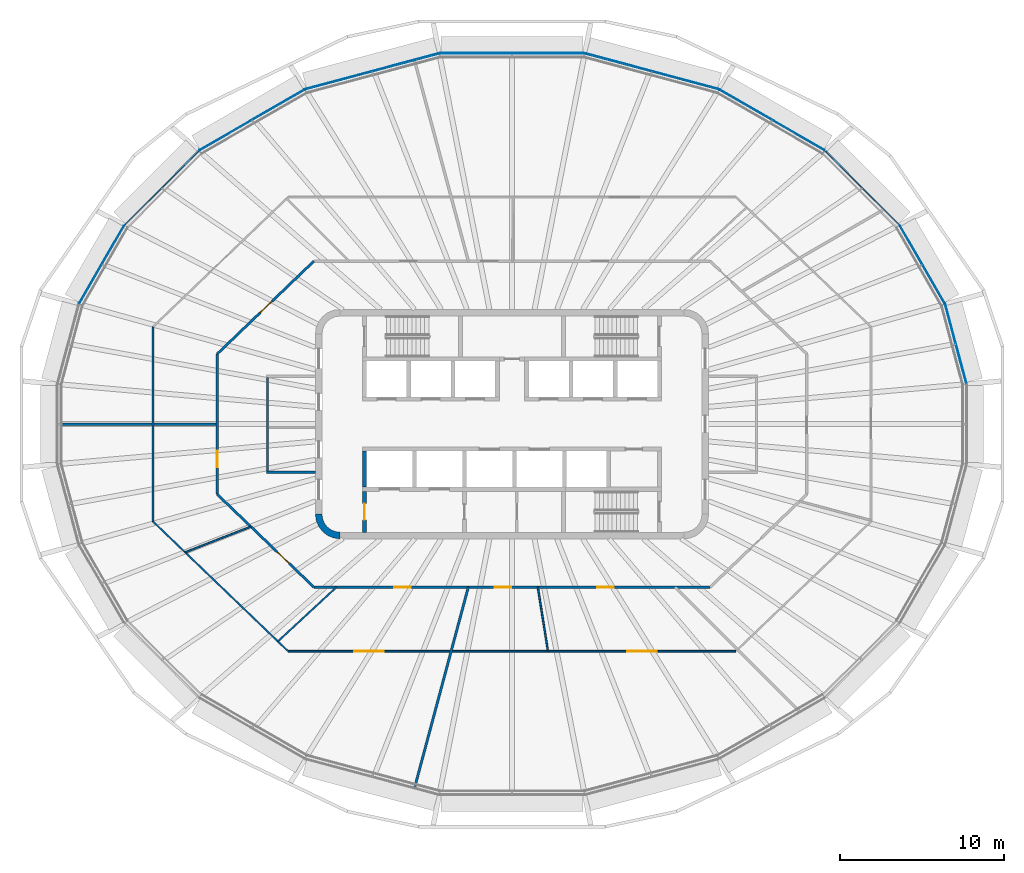
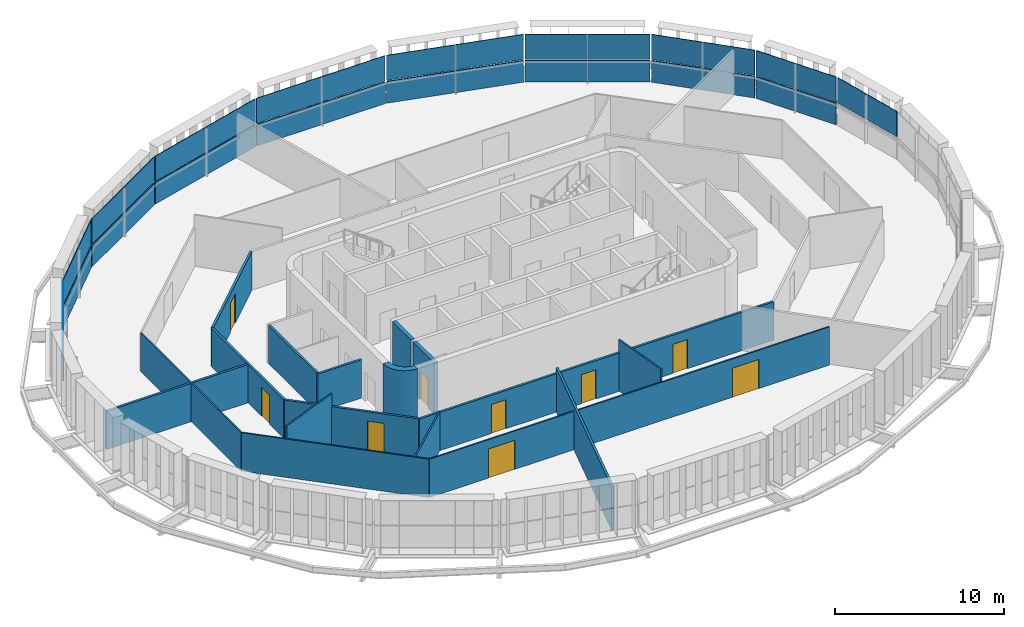
# One storey, part 9 of 18: 19 plates, 17 walls, 9 doors, 9 openings, 10 elements without a shape of their own.
"""IFC4 building model written with IfcOpenShell, lengths in metres."""

from ifc_helpers import new_model, si_unit, direction, frame, frame_2d, origin, place, context, subcontext, project, spatial, polyline, rectangle, outline, extrude, material, layer, layer_set, type_object, element, fill, aggregate, save


model = new_model("IFC4")

# Units and contexts
model_context = context("Model", 3, precision=1e-05, world=origin(), true_north=direction((0.0, 1.0)))
body_context = subcontext(model_context, "Body", "Model", "MODEL_VIEW")
ifc_project = project(units=[si_unit("LENGTHUNIT", "METRE"), si_unit("AREAUNIT", "SQUARE_METRE"), si_unit("VOLUMEUNIT", "CUBIC_METRE"), si_unit("PLANEANGLEUNIT", "RADIAN"), si_unit("MASSUNIT", "GRAM", prefix="KILO")], contexts=[model_context])

# Site, building, storey
site_placement = place(None, origin())
site = spatial("IfcSite", under=ifc_project, at=site_placement, CompositionType="ELEMENT")
building_placement = place(site_placement, origin())
building = spatial("IfcBuilding", under=site, at=building_placement, Name="Sahrelin Media Tower", CompositionType="ELEMENT")
storey_placement = place(building_placement, frame((0.0, 0.0, 295.0)))
storey = spatial("IfcBuildingStorey", under=building, at=storey_placement, Name="L65", CompositionType="ELEMENT", Elevation=295.0)

# Curtain wall, plate
ifc_material_1 = material(Name="Champagne anodised aluminium 6063-T6", Category="aluminium")
ifc_layer_1 = layer(ifc_material_1, 0.14990234375)
ifc_layer_set_1 = layer_set([ifc_layer_1], Name="Tower ribbon curtain wall")
curtain_wall_type = type_object("IfcCurtainWallType", Name="Tower ribbon curtain wall", PredefinedType="NOTDEFINED", material=ifc_layer_set_1)
curtain_wall_1_placement = place(storey_placement, frame((27.10205078125, 4.88671875, 0.0), z_axis=(0.0, 0.0, 1.0), x_axis=(1.0, 0.0, 0.0)))
curtain_wall_1 = element("IfcCurtainWall", 1, at=curtain_wall_1_placement, inside=storey, type_object=curtain_wall_type, Name="L65:CW:L65-01", PredefinedType="NOTDEFINED")
ifc_material_2 = material(Name="Clear low-iron glazing", Category="glass")
ifc_layer_2 = layer(ifc_material_2, 0.048095703125)
ifc_layer_set_2 = layer_set([ifc_layer_2], Name="Glazing panel 48 mm CW1C")
plate_type_1 = type_object("IfcPlateType", Name="Glazing panel 48 mm CW1C", PredefinedType="CURTAIN_PANEL", material=ifc_layer_set_2)
plate_1_placement = place(storey_placement, frame((27.762939453125, 2.497802734375, 1.6298828125), z_axis=(0.965932664655, 0.258793522625, 0.0), x_axis=(-0.258793522625, 0.965932664655, 0.0)))
plate_1 = element("IfcPlate", 2, at=plate_1_placement, type_object=plate_type_1, Name="L65:CWP2:L65-01", PredefinedType="CURTAIN_PANEL", context=body_context, shape_type="SweptSolid", body=[
    extrude(outline(polyline([(0.0, 0.0), (4.95751953125, 0.0), (4.95751953125, 1.818603515625), (0.0, 1.818603515625), (0.0, 0.0)])), origin(), (0.0, 0.0, -1.0), 0.048095703125),
])
aggregate(curtain_wall_1, [plate_1])

curtain_wall_2_placement = place(storey_placement, frame((25.0546875, 9.74169921875, 0.0), z_axis=(0.0, 0.0, 1.0), x_axis=(1.0, 0.0, 0.0)))
curtain_wall_2 = element("IfcCurtainWall", 3, at=curtain_wall_2_placement, inside=storey, type_object=curtain_wall_type, Name="L65:CW:L65-02", PredefinedType="NOTDEFINED")
plate_2_placement = place(storey_placement, frame((26.43994140625, 7.3828125, 1.6298828125), z_axis=(0.866007226043, 0.500031483449, 0.0), x_axis=(-0.500031483449, 0.866007226043, 0.0)))
plate_2 = element("IfcPlate", 4, at=plate_2_placement, type_object=plate_type_1, Name="L65:CWP2:L65-02", PredefinedType="CURTAIN_PANEL", context=body_context, shape_type="SweptSolid", body=[
    extrude(outline(polyline([(0.0, 0.0), (5.470947265625, 0.0), (5.470947265625, 1.818603515625), (0.0, 1.818603515625), (0.0, 0.0)])), origin(), (0.0, 0.0, -1.0), 0.048095703125),
])

curtain_wall_3_placement = place(storey_placement, frame((21.392333984375, 14.423828125, 0.0), z_axis=(0.0, 0.0, 1.0), x_axis=(1.0, 0.0, 0.0)))
curtain_wall_3 = element("IfcCurtainWall", 5, at=curtain_wall_3_placement, inside=storey, type_object=curtain_wall_type, Name="L65:CW:L65-03", PredefinedType="NOTDEFINED")
plate_3_placement = place(storey_placement, frame((23.640869140625, 12.20361328125, 1.6298828125), z_axis=(0.707106781187, 0.707106781187, 0.0), x_axis=(-0.707106781187, 0.707106781187, 0.0)))
plate_3 = element("IfcPlate", 6, at=plate_3_placement, type_object=plate_type_1, Name="L65:CWP2:L65-03", PredefinedType="CURTAIN_PANEL", context=body_context, shape_type="SweptSolid", body=[
    extrude(outline(polyline([(0.0, 0.0), (6.320068359375, 0.0), (6.320068359375, 1.818603515625), (0.0, 1.818603515625), (0.0, 0.0)])), origin(), (0.0, 0.0, -1.0), 0.048095703125),
])

curtain_wall_4_placement = place(storey_placement, frame((15.87646484375, 18.567626953125, 0.0), z_axis=(0.0, 0.0, 1.0), x_axis=(1.0, 0.0, 0.0)))
curtain_wall_4 = element("IfcCurtainWall", 7, at=curtain_wall_4_placement, inside=storey, type_object=curtain_wall_type, Name="L65:CW:L65-04", PredefinedType="NOTDEFINED")
plate_4_placement = place(storey_placement, frame((19.089111328125, 16.736083984375, 1.6298828125), z_axis=(0.500005339912, 0.866022320763, 0.0), x_axis=(-0.866022320763, 0.500005339912, 0.0)))
plate_4 = element("IfcPlate", 8, at=plate_4_placement, type_object=plate_type_1, Name="L65:CWP2:L65-04", PredefinedType="CURTAIN_PANEL", context=body_context, shape_type="SweptSolid", body=[
    extrude(outline(polyline([(0.0, 0.0), (7.39599609375, 0.0), (7.39599609375, 1.818603515625), (0.0, 1.818603515625), (0.0, 0.0)])), origin(), (0.0, 0.0, -1.0), 0.048095703125),
])

curtain_wall_5_placement = place(storey_placement, frame((8.536865234375, 21.53857421875, 0.0), z_axis=(0.0, 0.0, 1.0), x_axis=(1.0, 0.0, 0.0)))
curtain_wall_5 = element("IfcCurtainWall", 9, at=curtain_wall_5_placement, inside=storey, type_object=curtain_wall_type, Name="L65:CW:L65-05", PredefinedType="NOTDEFINED")
plate_5_placement = place(storey_placement, frame((12.587646484375, 20.47412109375, 1.6298828125), z_axis=(0.258789017993, 0.965933871529, 0.0), x_axis=(-0.965933871529, 0.258789017993, 0.0)))
plate_5 = element("IfcPlate", 10, at=plate_5_placement, type_object=plate_type_1, Name="L65:CWP2:L65-05", PredefinedType="CURTAIN_PANEL", context=body_context, shape_type="SweptSolid", body=[
    extrude(outline(polyline([(0.0, 0.0), (8.37646484375, 0.0), (8.37646484375, 1.818603515625), (0.0, 1.818603515625), (0.0, 0.0)])), origin(), (0.0, 0.0, -1.0), 0.048095703125),
])

curtain_wall_6_placement = place(storey_placement, frame((0.0, 22.635498046875, 0.0), z_axis=(0.0, 0.0, 1.0), x_axis=(1.0, 0.0, 0.0)))
curtain_wall_6 = element("IfcCurtainWall", 11, at=curtain_wall_6_placement, inside=storey, type_object=curtain_wall_type, Name="L65:CW:L65-06", PredefinedType="NOTDEFINED")
plate_6_placement = place(storey_placement, frame((4.39306640625, 22.655517578125, 1.6298828125), z_axis=(0.0, 1.0, 0.0), x_axis=(-1.0, 0.0, 0.0)))
plate_6 = element("IfcPlate", 12, at=plate_6_placement, type_object=plate_type_1, Name="L65:CWP2:L65-06", PredefinedType="CURTAIN_PANEL", context=body_context, shape_type="SweptSolid", body=[
    extrude(outline(polyline([(0.0, 0.0), (8.7861328125, 0.0), (8.7861328125, 1.818603515625), (0.0, 1.818603515625), (0.0, 0.0)])), origin(), (0.0, 0.0, -1.0), 0.048095703125),
])

curtain_wall_7_placement = place(storey_placement, frame((-8.536865234375, 21.53857421875, 0.0), z_axis=(0.0, 0.0, 1.0), x_axis=(1.0, 0.0, 0.0)))
curtain_wall_7 = element("IfcCurtainWall", 13, at=curtain_wall_7_placement, inside=storey, type_object=curtain_wall_type, Name="L65:CW:L65-07", PredefinedType="NOTDEFINED")
plate_7_placement = place(storey_placement, frame((-4.49658203125, 22.641845703125, 1.6298828125), z_axis=(-0.258789017993, 0.965933871529, 0.0), x_axis=(-0.965933871529, -0.258789017993, 0.0)))
plate_7 = element("IfcPlate", 14, at=plate_7_placement, type_object=plate_type_1, Name="L65:CWP2:L65-07", PredefinedType="CURTAIN_PANEL", context=body_context, shape_type="SweptSolid", body=[
    extrude(outline(polyline([(0.0, 0.0), (8.37646484375, 0.0), (8.37646484375, 1.818603515625), (0.0, 1.818603515625), (0.0, 0.0)])), origin(), (0.0, 0.0, -1.0), 0.048095703125),
])

curtain_wall_8_placement = place(storey_placement, frame((-15.876708984375, 18.567626953125, 0.0), z_axis=(0.0, 0.0, 1.0), x_axis=(1.0, 0.0, 0.0)))
curtain_wall_8 = element("IfcCurtainWall", 15, at=curtain_wall_8_placement, inside=storey, type_object=curtain_wall_type, Name="L65:CW:L65-08", PredefinedType="NOTDEFINED")
plate_8_placement = place(storey_placement, frame((-12.68408203125, 20.43408203125, 1.6298828125), z_axis=(-0.500005339912, 0.866022320763, 0.0), x_axis=(-0.866022320763, -0.500005339912, 0.0)))
plate_8 = element("IfcPlate", 16, at=plate_8_placement, type_object=plate_type_1, Name="L65:CWP2:L65-08", PredefinedType="CURTAIN_PANEL", context=body_context, shape_type="SweptSolid", body=[
    extrude(outline(polyline([(0.0, 0.0), (7.39599609375, 0.0), (7.39599609375, 1.818603515625), (0.0, 1.818603515625), (0.0, 0.0)])), origin(), (0.0, 0.0, -1.0), 0.048095703125),
])

curtain_wall_9_placement = place(storey_placement, frame((-21.39208984375, 14.423828125, 0.0), z_axis=(0.0, 0.0, 1.0), x_axis=(1.0, 0.0, 0.0)))
curtain_wall_9 = element("IfcCurtainWall", 17, at=curtain_wall_9_placement, inside=storey, type_object=curtain_wall_type, Name="L65:CW:L65-09", PredefinedType="NOTDEFINED")
plate_9_placement = place(storey_placement, frame((-19.171875, 16.672607421875, 1.6298828125), z_axis=(-0.707106781187, 0.707106781187, 0.0), x_axis=(-0.707106781187, -0.707106781187, 0.0)))
plate_9 = element("IfcPlate", 18, at=plate_9_placement, type_object=plate_type_1, Name="L65:CWP2:L65-09", PredefinedType="CURTAIN_PANEL", context=body_context, shape_type="SweptSolid", body=[
    extrude(outline(polyline([(0.0, 0.0), (6.320068359375, 0.0), (6.320068359375, 1.818603515625), (0.0, 1.818603515625), (0.0, 0.0)])), origin(), (0.0, 0.0, -1.0), 0.048095703125),
])

curtain_wall_10_placement = place(storey_placement, frame((-25.054931640625, 9.74169921875, 0.0), z_axis=(0.0, 0.0, 1.0), x_axis=(1.0, 0.0, 0.0)))
curtain_wall_10 = element("IfcCurtainWall", 19, at=curtain_wall_10_placement, inside=storey, type_object=curtain_wall_type, Name="L65:CW:L65-10", PredefinedType="NOTDEFINED")
plate_10_placement = place(storey_placement, frame((-23.704345703125, 12.12060546875, 1.6298828125), z_axis=(-0.866007226043, 0.500031483449, 0.0), x_axis=(-0.500031483449, -0.866007226043, 0.0)))
plate_10 = element("IfcPlate", 20, at=plate_10_placement, type_object=plate_type_1, Name="L65:CWP2:L65-10", PredefinedType="CURTAIN_PANEL", context=body_context, shape_type="SweptSolid", body=[
    extrude(outline(polyline([(0.0, 0.0), (5.470947265625, 0.0), (5.470947265625, 1.818603515625), (0.0, 1.818603515625), (0.0, 0.0)])), origin(), (0.0, 0.0, -1.0), 0.048095703125),
])

# Plate
ifc_material_3 = material(Name="Insulated spandrel panel")
ifc_layer_3 = layer(ifc_material_3, 0.06005859375)
ifc_layer_set_3 = layer_set([ifc_layer_3], Name="Spandrel panel 60 mm CW1")
plate_type_2 = type_object("IfcPlateType", Name="Spandrel panel 60 mm CW1", PredefinedType="SHEET", material=ifc_layer_set_3)
plate_11_placement = place(storey_placement, frame((26.43994140625, 7.3828125, 0.0), z_axis=(0.866007226043, 0.500031483449, 0.0), x_axis=(-0.500031483449, 0.866007226043, 0.0)))
plate_11 = element("IfcPlate", 21, at=plate_11_placement, type_object=plate_type_2, Name="L65:CWP1:L65-02", PredefinedType="SHEET", context=body_context, shape_type="SweptSolid", body=[
    extrude(outline(polyline([(0.0, 0.0), (5.470947265625, 0.0), (5.470947265625, 1.570068359375), (0.0, 1.570068359375), (0.0, 0.0)])), origin(), (0.0, 0.0, -1.0), 0.06005859375),
])

aggregate(curtain_wall_2, [plate_11, plate_2])

plate_12_placement = place(storey_placement, frame((23.640869140625, 12.20361328125, 0.0), z_axis=(0.707106781187, 0.707106781187, 0.0), x_axis=(-0.707106781187, 0.707106781187, 0.0)))
plate_12 = element("IfcPlate", 22, at=plate_12_placement, type_object=plate_type_2, Name="L65:CWP1:L65-03", PredefinedType="SHEET", context=body_context, shape_type="SweptSolid", body=[
    extrude(outline(polyline([(0.0, 0.0), (6.320068359375, 0.0), (6.320068359375, 1.570068359375), (0.0, 1.570068359375), (0.0, 0.0)])), origin(), (0.0, 0.0, -1.0), 0.06005859375),
])

aggregate(curtain_wall_3, [plate_12, plate_3])

plate_13_placement = place(storey_placement, frame((19.089111328125, 16.736083984375, 0.0), z_axis=(0.500005339912, 0.866022320763, 0.0), x_axis=(-0.866022320763, 0.500005339912, 0.0)))
plate_13 = element("IfcPlate", 23, at=plate_13_placement, type_object=plate_type_2, Name="L65:CWP1:L65-04", PredefinedType="SHEET", context=body_context, shape_type="SweptSolid", body=[
    extrude(outline(polyline([(0.0, 0.0), (7.39599609375, 0.0), (7.39599609375, 1.570068359375), (0.0, 1.570068359375), (0.0, 0.0)])), origin(), (0.0, 0.0, -1.0), 0.06005859375),
])

aggregate(curtain_wall_4, [plate_13, plate_4])

plate_14_placement = place(storey_placement, frame((12.587646484375, 20.47412109375, 0.0), z_axis=(0.258789017993, 0.965933871529, 0.0), x_axis=(-0.965933871529, 0.258789017993, 0.0)))
plate_14 = element("IfcPlate", 24, at=plate_14_placement, type_object=plate_type_2, Name="L65:CWP1:L65-05", PredefinedType="SHEET", context=body_context, shape_type="SweptSolid", body=[
    extrude(outline(polyline([(0.0, 0.0), (8.37646484375, 0.0), (8.37646484375, 1.570068359375), (0.0, 1.570068359375), (0.0, 0.0)])), origin(), (0.0, 0.0, -1.0), 0.06005859375),
])

aggregate(curtain_wall_5, [plate_14, plate_5])

plate_15_placement = place(storey_placement, frame((4.39306640625, 22.655517578125, 0.0), z_axis=(0.0, 1.0, 0.0), x_axis=(-1.0, 0.0, 0.0)))
plate_15 = element("IfcPlate", 25, at=plate_15_placement, type_object=plate_type_2, Name="L65:CWP1:L65-06", PredefinedType="SHEET", context=body_context, shape_type="SweptSolid", body=[
    extrude(outline(polyline([(0.0, 0.0), (8.7861328125, 0.0), (8.7861328125, 1.570068359375), (0.0, 1.570068359375), (0.0, 0.0)])), origin(), (0.0, 0.0, -1.0), 0.06005859375),
])

aggregate(curtain_wall_6, [plate_15, plate_6])

plate_16_placement = place(storey_placement, frame((-4.49658203125, 22.641845703125, 0.0), z_axis=(-0.258789017993, 0.965933871529, 0.0), x_axis=(-0.965933871529, -0.258789017993, 0.0)))
plate_16 = element("IfcPlate", 26, at=plate_16_placement, type_object=plate_type_2, Name="L65:CWP1:L65-07", PredefinedType="SHEET", context=body_context, shape_type="SweptSolid", body=[
    extrude(outline(polyline([(0.0, 0.0), (8.37646484375, 0.0), (8.37646484375, 1.570068359375), (0.0, 1.570068359375), (0.0, 0.0)])), origin(), (0.0, 0.0, -1.0), 0.06005859375),
])

aggregate(curtain_wall_7, [plate_16, plate_7])

plate_17_placement = place(storey_placement, frame((-12.68408203125, 20.43408203125, 0.0), z_axis=(-0.500005339912, 0.866022320763, 0.0), x_axis=(-0.866022320763, -0.500005339912, 0.0)))
plate_17 = element("IfcPlate", 27, at=plate_17_placement, type_object=plate_type_2, Name="L65:CWP1:L65-08", PredefinedType="SHEET", context=body_context, shape_type="SweptSolid", body=[
    extrude(outline(polyline([(0.0, 0.0), (7.39599609375, 0.0), (7.39599609375, 1.570068359375), (0.0, 1.570068359375), (0.0, 0.0)])), origin(), (0.0, 0.0, -1.0), 0.06005859375),
])

aggregate(curtain_wall_8, [plate_17, plate_8])

plate_18_placement = place(storey_placement, frame((-19.171875, 16.672607421875, 0.0), z_axis=(-0.707106781187, 0.707106781187, 0.0), x_axis=(-0.707106781187, -0.707106781187, 0.0)))
plate_18 = element("IfcPlate", 28, at=plate_18_placement, type_object=plate_type_2, Name="L65:CWP1:L65-09", PredefinedType="SHEET", context=body_context, shape_type="SweptSolid", body=[
    extrude(outline(polyline([(0.0, 0.0), (6.320068359375, 0.0), (6.320068359375, 1.570068359375), (0.0, 1.570068359375), (0.0, 0.0)])), origin(), (0.0, 0.0, -1.0), 0.06005859375),
])

aggregate(curtain_wall_9, [plate_18, plate_9])

plate_19_placement = place(storey_placement, frame((-23.704345703125, 12.12060546875, 0.0), z_axis=(-0.866007226043, 0.500031483449, 0.0), x_axis=(-0.500031483449, -0.866007226043, 0.0)))
plate_19 = element("IfcPlate", 29, at=plate_19_placement, type_object=plate_type_2, Name="L65:CWP1:L65-10", PredefinedType="SHEET", context=body_context, shape_type="SweptSolid", body=[
    extrude(outline(polyline([(0.0, 0.0), (5.470947265625, 0.0), (5.470947265625, 1.570068359375), (0.0, 1.570068359375), (0.0, 0.0)])), origin(), (0.0, 0.0, -1.0), 0.06005859375),
])

aggregate(curtain_wall_10, [plate_19, plate_10])

# Walls
ifc_material_4 = material(Name="Concrete C60/75", Category="concrete")
ifc_layer_4 = layer(ifc_material_4, 0.39990234375)
ifc_layer_set_4 = layer_set([ifc_layer_4], Name="Core wall 400")
wall_type_1 = type_object("IfcWallType", Name="Core wall 400", PredefinedType="SHEAR", material=ifc_layer_set_4)
wall_1_placement = place(storey_placement, origin())
element("IfcWall", 30, at=wall_1_placement, inside=storey, type_object=wall_type_1, Name="Core wall corner SW L65", PredefinedType="SHEAR", context=body_context, shape_type="SweptSolid", body=[
    extrude(outline(polyline([(-10.5, -7.0), (-10.5, -6.596435546875), (-10.78369140625, -6.55908203125), (-11.04833984375, -6.44970703125), (-11.275390625, -6.275390625), (-11.44970703125, -6.04833984375), (-11.55908203125, -5.78369140625), (-11.596435546875, -5.5), (-12.0, -5.5), (-11.948974609375, -5.88818359375), (-11.799072265625, -6.25), (-11.560791015625, -6.560791015625), (-11.25, -6.799072265625), (-10.88818359375, -6.948974609375), (-10.5, -7.0)])), origin(), (0.0, 0.0, 1.0), 4.0),
])
ifc_material_5 = material(Name="Fire-rated gypsum board partition")
ifc_layer_5 = layer(ifc_material_5, 0.14990234375)
ifc_layer_set_5 = layer_set([ifc_layer_5], Name="Fire-rated partition 150")
wall_type_2 = type_object("IfcWallType", Name="Fire-rated partition 150", PredefinedType="PARTITIONING", material=ifc_layer_set_5)
wall_2_placement = place(storey_placement, frame((-14.925048828125, -2.85009765625, 0.0), z_axis=(0.0, 0.0, 1.0), x_axis=(0.0, 1.0, 0.0)))
element("IfcWall", 31, at=wall_2_placement, inside=storey, type_object=wall_type_2, Name="Core room fire partition", PredefinedType="PARTITIONING", context=body_context, shape_type="SweptSolid", body=[
    extrude(rectangle(XDim=5.7001953125, YDim=0.14990234375, at=frame_2d((2.85009765625, 0.0))), origin(), (0.0, 0.0, 1.0), 2.768310546875),
])
wall_3_placement = place(storey_placement, frame((-15.0, -2.925048828125, 0.0), z_axis=(0.0, 0.0, 1.0), x_axis=(1.0, 0.0, 0.0)))
element("IfcWall", 32, at=wall_3_placement, inside=storey, type_object=wall_type_2, Name="Core room fire partition", PredefinedType="PARTITIONING", context=body_context, shape_type="SweptSolid", body=[
    extrude(rectangle(XDim=3.0, YDim=0.14990234375, at=frame_2d((1.5, 0.0))), origin(), (0.0, 0.0, 1.0), 2.768310546875),
])

# Wall, opening, door
wall_4_placement = place(storey_placement, frame((-18.0, -4.278076171875, 0.0), z_axis=(0.0, 0.0, 1.0), x_axis=(0.721290181137, -0.692633001376, 0.0)))
wall_4 = element("IfcWall", 33, at=wall_4_placement, inside=storey, type_object=wall_type_2, Name="Wall", PredefinedType="PARTITIONING", context=body_context, shape_type="SweptSolid", body=[
    extrude(rectangle(XDim=8.18701171875, YDim=0.14990234375, at=frame_2d((4.093505859375, 0.0))), origin(), (0.0, 0.0, 1.0), 2.777099609375),
])
opening_1_placement = place(wall_4_placement, frame((5.073486328125, 0.0, 0.0)))
opening_1 = element("IfcOpeningElement", 34, at=opening_1_placement, cuts=wall_4, Name="Opening L65-D27", PredefinedType="OPENING", context=body_context, shape_type="SweptSolid", body=[
    extrude(rectangle(XDim=1.0, YDim=2.10009765625, at=frame_2d((0.5, 1.050048828125))), frame((0.0, 0.074951171875, 0.0), z_axis=(0.0, -1.0, 0.0), x_axis=(1.0, 0.0, 0.0)), (0.0, 0.0, 1.0), 0.14990234375),
])
ifc_material_6 = material(Name="Steel fire door leaf", Category="steel")
door_type_1 = type_object("IfcDoorType", Name="Fire door 1000 x 2100 EI 60", OperationType="NOTDEFINED", PredefinedType="DOOR", material=ifc_material_6)
door_1_placement = place(opening_1_placement, origin())
door_1 = element("IfcDoor", 35, at=door_1_placement, inside=storey, type_object=door_type_1, Name="Fire door", OperationType="SINGLE_SWING_LEFT", OverallHeight=2.10009765625, OverallWidth=1.0, PredefinedType="DOOR", context=body_context, shape_type="SweptSolid", body=[
    extrude(rectangle(XDim=1.0, YDim=2.10009765625, at=frame_2d((0.5, 1.050048828125))), frame((0.0, 0.02490234375, 0.0), z_axis=(0.0, -1.0, 0.0), x_axis=(1.0, 0.0, 0.0)), (0.0, 0.0, 1.0), 0.050048828125),
])
fill(opening_1, door_1)

# Wall, openings, doors
wall_5_placement = place(storey_placement, frame((-12.094970703125, -9.948974609375, 0.0), z_axis=(0.0, 0.0, 1.0), x_axis=(1.0, 0.0, 0.0)))
wall_5 = element("IfcWall", 36, at=wall_5_placement, inside=storey, type_object=wall_type_2, Name="Wall", PredefinedType="PARTITIONING", context=body_context, shape_type="SweptSolid", body=[
    extrude(rectangle(XDim=24.18994140625, YDim=0.14990234375, at=frame_2d((12.094970703125, 0.0))), origin(), (0.0, 0.0, 1.0), 2.768310546875),
])
opening_2_placement = place(wall_5_placement, frame((4.90087890625, 0.0, 0.0)))
opening_2 = element("IfcOpeningElement", 37, at=opening_2_placement, cuts=wall_5, Name="Opening L65-D28", PredefinedType="OPENING", context=body_context, shape_type="SweptSolid", body=[
    extrude(rectangle(XDim=1.0, YDim=2.10009765625, at=frame_2d((0.5, 1.050048828125))), frame((0.0, 0.074951171875, 0.0), z_axis=(0.0, -1.0, 0.0), x_axis=(1.0, 0.0, 0.0)), (0.0, 0.0, 1.0), 0.14990234375),
])
opening_3_placement = place(wall_5_placement, frame((11.050048828125, 0.0, 0.0)))
opening_3 = element("IfcOpeningElement", 38, at=opening_3_placement, cuts=wall_5, Name="Opening L65-D30", PredefinedType="OPENING", context=body_context, shape_type="SweptSolid", body=[
    extrude(rectangle(XDim=1.0, YDim=2.10009765625, at=frame_2d((0.5, 1.050048828125))), frame((0.0, 0.074951171875, 0.0), z_axis=(0.0, -1.0, 0.0), x_axis=(1.0, 0.0, 0.0)), (0.0, 0.0, 1.0), 0.14990234375),
])
opening_4_placement = place(wall_5_placement, frame((17.306884765625, 0.0, 0.0)))
opening_4 = element("IfcOpeningElement", 39, at=opening_4_placement, cuts=wall_5, Name="Opening L65-D31", PredefinedType="OPENING", context=body_context, shape_type="SweptSolid", body=[
    extrude(rectangle(XDim=1.0, YDim=2.10009765625, at=frame_2d((0.5, 1.050048828125))), frame((0.0, 0.074951171875, 0.0), z_axis=(0.0, -1.0, 0.0), x_axis=(1.0, 0.0, 0.0)), (0.0, 0.0, 1.0), 0.14990234375),
])
door_2_placement = place(opening_2_placement, origin())
door_2 = element("IfcDoor", 40, at=door_2_placement, inside=storey, type_object=door_type_1, Name="Fire door", OperationType="SINGLE_SWING_LEFT", OverallHeight=2.10009765625, OverallWidth=1.0, PredefinedType="DOOR", context=body_context, shape_type="SweptSolid", body=[
    extrude(rectangle(XDim=1.0, YDim=2.10009765625, at=frame_2d((0.5, 1.050048828125))), frame((0.0, 0.02490234375, 0.0), z_axis=(0.0, -1.0, 0.0), x_axis=(1.0, 0.0, 0.0)), (0.0, 0.0, 1.0), 0.050048828125),
])
fill(opening_2, door_2)
door_3_placement = place(opening_3_placement, origin())
door_3 = element("IfcDoor", 41, at=door_3_placement, inside=storey, type_object=door_type_1, Name="Fire door", OperationType="SINGLE_SWING_RIGHT", OverallHeight=2.10009765625, OverallWidth=1.0, PredefinedType="DOOR", context=body_context, shape_type="SweptSolid", body=[
    extrude(rectangle(XDim=1.0, YDim=2.10009765625, at=frame_2d((0.5, 1.050048828125))), frame((0.0, 0.02490234375, 0.0), z_axis=(0.0, -1.0, 0.0), x_axis=(1.0, 0.0, 0.0)), (0.0, 0.0, 1.0), 0.050048828125),
])
fill(opening_3, door_3)
door_4_placement = place(opening_4_placement, origin())
door_4 = element("IfcDoor", 42, at=door_4_placement, inside=storey, type_object=door_type_1, Name="Fire door", OperationType="SINGLE_SWING_RIGHT", OverallHeight=2.10009765625, OverallWidth=1.0, PredefinedType="DOOR", context=body_context, shape_type="SweptSolid", body=[
    extrude(rectangle(XDim=1.0, YDim=2.10009765625, at=frame_2d((0.5, 1.050048828125))), frame((0.0, 0.02490234375, 0.0), z_axis=(0.0, -1.0, 0.0), x_axis=(1.0, 0.0, 0.0)), (0.0, 0.0, 1.0), 0.050048828125),
])
fill(opening_4, door_4)

# Wall
wall_6_placement = place(storey_placement, frame((-27.757080078125, 0.0, 0.0), z_axis=(0.0, 0.0, 1.0), x_axis=(1.0, 0.0, 0.0)))
element("IfcWall", 43, at=wall_6_placement, inside=storey, type_object=wall_type_2, Name="Wall", PredefinedType="PARTITIONING", context=body_context, shape_type="SweptSolid", body=[
    extrude(rectangle(XDim=9.757080078125, YDim=0.14990234375, at=frame_2d((4.87841796875, 0.0))), origin(), (0.0, 0.0, 1.0), 2.768310546875),
])

# Wall, opening, door
wall_7_placement = place(storey_placement, frame((-18.0, 4.278076171875, 0.0), z_axis=(0.0, 0.0, 1.0), x_axis=(0.721363483883, 0.692556657697, 0.0)))
wall_7 = element("IfcWall", 44, at=wall_7_placement, inside=storey, type_object=wall_type_2, Name="Wall", PredefinedType="PARTITIONING", context=body_context, shape_type="SweptSolid", body=[
    extrude(rectangle(XDim=8.18701171875, YDim=0.14990234375, at=frame_2d((4.093505859375, 0.0))), origin(), (0.0, 0.0, 1.0), 2.777099609375),
])
opening_5_placement = place(wall_7_placement, frame((3.646484375, 0.0, 0.0)))
opening_5 = element("IfcOpeningElement", 45, at=opening_5_placement, cuts=wall_7, Name="Opening L65-D24", PredefinedType="OPENING", context=body_context, shape_type="SweptSolid", body=[
    extrude(rectangle(XDim=1.0, YDim=2.10009765625, at=frame_2d((0.5, 1.050048828125))), frame((0.0, 0.074951171875, 0.0), z_axis=(0.0, -1.0, 0.0), x_axis=(1.0, 0.0, 0.0)), (0.0, 0.0, 1.0), 0.14990234375),
])
door_5_placement = place(opening_5_placement, origin())
door_5 = element("IfcDoor", 46, at=door_5_placement, inside=storey, type_object=door_type_1, Name="Fire door", OperationType="SINGLE_SWING_LEFT", OverallHeight=2.10009765625, OverallWidth=1.0, PredefinedType="DOOR", context=body_context, shape_type="SweptSolid", body=[
    extrude(rectangle(XDim=1.0, YDim=2.10009765625, at=frame_2d((0.5, 1.050048828125))), frame((0.0, 0.02490234375, 0.0), z_axis=(0.0, -1.0, 0.0), x_axis=(1.0, 0.0, 0.0)), (0.0, 0.0, 1.0), 0.050048828125),
])
fill(opening_5, door_5)

# Wall
wall_8_placement = place(storey_placement, frame((-5.9560546875, -22.22998046875, 0.0), z_axis=(0.0, 0.0, 1.0), x_axis=(0.258735765276, 0.965948137204, 0.0)))
element("IfcWall", 47, at=wall_8_placement, inside=storey, type_object=wall_type_2, Name="Wall", PredefinedType="PARTITIONING", context=body_context, shape_type="SweptSolid", body=[
    extrude(rectangle(XDim=12.7138671875, YDim=0.14990234375, at=frame_2d((6.35693359375, 0.0))), origin(), (0.0, 0.0, 1.0), 3.15185546875),
])

# Wall, opening, door
wall_9_placement = place(storey_placement, frame((-18.0, -4.278076171875, 0.0), z_axis=(0.0, 0.0, 1.0), x_axis=(0.0, 1.0, 0.0)))
wall_9 = element("IfcWall", 48, at=wall_9_placement, inside=storey, type_object=wall_type_2, Name="Wall", PredefinedType="PARTITIONING", context=body_context, shape_type="SweptSolid", body=[
    extrude(rectangle(XDim=8.55615234375, YDim=0.14990234375, at=frame_2d((4.278076171875, 0.0))), origin(), (0.0, 0.0, 1.0), 2.768310546875),
])
opening_6_placement = place(wall_9_placement, frame((1.638916015625, 0.0, 0.0)))
opening_6 = element("IfcOpeningElement", 49, at=opening_6_placement, cuts=wall_9, Name="Opening L65-D26", PredefinedType="OPENING", context=body_context, shape_type="SweptSolid", body=[
    extrude(rectangle(XDim=1.0, YDim=2.10009765625, at=frame_2d((0.5, 1.050048828125))), frame((0.0, 0.074951171875, 0.0), z_axis=(0.0, -1.0, 0.0), x_axis=(1.0, 0.0, 0.0)), (0.0, 0.0, 1.0), 0.14990234375),
])
door_6_placement = place(opening_6_placement, origin())
door_6 = element("IfcDoor", 50, at=door_6_placement, inside=storey, type_object=door_type_1, Name="Fire door", OperationType="SINGLE_SWING_LEFT", OverallHeight=2.10009765625, OverallWidth=1.0, PredefinedType="DOOR", context=body_context, shape_type="SweptSolid", body=[
    extrude(rectangle(XDim=1.0, YDim=2.10009765625, at=frame_2d((0.5, 1.050048828125))), frame((0.0, 0.02490234375, 0.0), z_axis=(0.0, -1.0, 0.0), x_axis=(1.0, 0.0, 0.0)), (0.0, 0.0, 1.0), 0.050048828125),
])
fill(opening_6, door_6)

ifc_layer_6 = layer(ifc_material_5, 0.25)
ifc_layer_set_6 = layer_set([ifc_layer_6], Name="Firefighting lobby wall 250")
wall_type_3 = type_object("IfcWallType", Name="Firefighting lobby wall 250", PredefinedType="PARTITIONING", material=ifc_layer_set_6)
wall_10_placement = place(storey_placement, frame((-9.0, -6.60009765625, 0.0), z_axis=(0.0, 0.0, 1.0), x_axis=(0.0, 1.0, 0.0)))
wall_10 = element("IfcWall", 51, at=wall_10_placement, inside=storey, type_object=wall_type_3, Name="Core wall", PredefinedType="PARTITIONING", context=body_context, shape_type="SweptSolid", body=[
    extrude(rectangle(XDim=2.5, YDim=0.25, at=frame_2d((1.25, 0.0))), origin(), (0.0, 0.0, 1.0), 3.699951171875),
])
opening_7_placement = place(wall_10_placement, frame((0.75, 0.0, 0.0)))
opening_7 = element("IfcOpeningElement", 52, at=opening_7_placement, cuts=wall_10, Name="Opening L65-D04", PredefinedType="OPENING", context=body_context, shape_type="SweptSolid", body=[
    extrude(rectangle(XDim=1.0, YDim=2.10009765625, at=frame_2d((0.5, 1.050048828125))), frame((0.0, 0.125, 0.0), z_axis=(0.0, -1.0, 0.0), x_axis=(1.0, 0.0, 0.0)), (0.0, 0.0, 1.0), 0.25),
])
door_type_2 = type_object("IfcDoorType", Name="Firefighting lobby door 1000 x 2100 EI 120", OperationType="NOTDEFINED", PredefinedType="DOOR", material=ifc_material_6)
door_7_placement = place(opening_7_placement, origin())
door_7 = element("IfcDoor", 53, at=door_7_placement, inside=storey, type_object=door_type_2, Name="Firefighting lobby door", OperationType="SINGLE_SWING_LEFT", OverallHeight=2.10009765625, OverallWidth=1.0, PredefinedType="DOOR", context=body_context, shape_type="SweptSolid", body=[
    extrude(rectangle(XDim=1.0, YDim=2.10009765625, at=frame_2d((0.5, 1.050048828125))), frame((0.0, 0.02490234375, 0.0), z_axis=(0.0, -1.0, 0.0), x_axis=(1.0, 0.0, 0.0)), (0.0, 0.0, 1.0), 0.050048828125),
])
fill(opening_7, door_7)

# Walls
ifc_layer_7 = layer(ifc_material_4, 0.25)
ifc_layer_set_7 = layer_set([ifc_layer_7], Name="Lift shaft wall 250")
wall_type_4 = type_object("IfcWallType", Name="Lift shaft wall 250", PredefinedType="SOLIDWALL", material=ifc_layer_set_7)
wall_11_placement = place(storey_placement, frame((-9.0, -3.85009765625, 0.0), z_axis=(0.0, 0.0, 1.0), x_axis=(0.0, 1.0, 0.0)))
element("IfcWall", 54, at=wall_11_placement, inside=storey, type_object=wall_type_4, Name="Lift shaft wall", PredefinedType="SOLIDWALL", context=body_context, shape_type="SweptSolid", body=[
    extrude(rectangle(XDim=2.2001953125, YDim=0.25, at=frame_2d((1.10009765625, 0.0))), origin(), (0.0, 0.0, 1.0), 3.699951171875),
])
ifc_material_7 = material(Name="Gypsum board partition")
ifc_layer_8 = layer(ifc_material_7, 0.10009765625)
ifc_layer_set_8 = layer_set([ifc_layer_8], Name="Partition 100")
wall_type_5 = type_object("IfcWallType", Name="Partition 100", PredefinedType="PARTITIONING", material=ifc_layer_set_8)
wall_12_placement = place(storey_placement, frame((1.575927734375, -9.948974609375, 0.0), z_axis=(0.0, 0.0, 1.0), x_axis=(0.156402769976, -0.987693360079, 0.0)))
element("IfcWall", 55, at=wall_12_placement, inside=storey, type_object=wall_type_5, Name="Wall", PredefinedType="PARTITIONING", context=body_context, shape_type="SweptSolid", body=[
    extrude(rectangle(XDim=3.958740234375, YDim=0.10009765625, at=frame_2d((1.9794921875, 0.0))), origin(), (0.0, 0.0, 1.0), 3.699951171875),
])
wall_13_placement = place(storey_placement, frame((-21.909912109375, -5.944091796875, 0.0), z_axis=(0.0, 0.0, 1.0), x_axis=(0.721286980933, -0.692636333971, 0.0)))
element("IfcWall", 56, at=wall_13_placement, inside=storey, type_object=wall_type_5, Name="Wall", PredefinedType="PARTITIONING", context=body_context, shape_type="SweptSolid", body=[
    extrude(rectangle(XDim=11.427001953125, YDim=0.10009765625, at=frame_2d((5.71337890625, 0.0))), origin(), (0.0, 0.0, 1.0), 2.777099609375),
])

# Wall, openings, doors
wall_14_placement = place(storey_placement, frame((-13.66796875, -13.85888671875, 0.0), z_axis=(0.0, 0.0, 1.0), x_axis=(1.0, 0.0, 0.0)))
wall_14 = element("IfcWall", 57, at=wall_14_placement, inside=storey, type_object=wall_type_5, Name="Wall", PredefinedType="PARTITIONING", context=body_context, shape_type="SweptSolid", body=[
    extrude(rectangle(XDim=27.3359375, YDim=0.10009765625, at=frame_2d((13.66796875, 0.0))), origin(), (0.0, 0.0, 1.0), 2.768310546875),
])
opening_8_placement = place(wall_14_placement, frame((4.027099609375, 0.0, 0.0)))
opening_8 = element("IfcOpeningElement", 58, at=opening_8_placement, cuts=wall_14, Name="Opening L65-D29", PredefinedType="OPENING", context=body_context, shape_type="SweptSolid", body=[
    extrude(rectangle(XDim=1.800048828125, YDim=2.10009765625, at=frame_2d((0.89990234375, 1.050048828125))), frame((0.0, 0.050048828125, 0.0), z_axis=(0.0, -1.0, 0.0), x_axis=(1.0, 0.0, 0.0)), (0.0, 0.0, 1.0), 0.10009765625),
])
opening_9_placement = place(wall_14_placement, frame((20.699462890625, 0.0, 0.0)))
opening_9 = element("IfcOpeningElement", 59, at=opening_9_placement, cuts=wall_14, Name="Opening L65-D32", PredefinedType="OPENING", context=body_context, shape_type="SweptSolid", body=[
    extrude(rectangle(XDim=1.800048828125, YDim=2.10009765625, at=frame_2d((0.89990234375, 1.050048828125))), frame((0.0, 0.050048828125, 0.0), z_axis=(0.0, -1.0, 0.0), x_axis=(1.0, 0.0, 0.0)), (0.0, 0.0, 1.0), 0.10009765625),
])
ifc_material_8 = material(Name="Timber door leaf", Category="wood")
door_type_3 = type_object("IfcDoorType", Name="Double door 1800 x 2100", OperationType="DOUBLE_DOOR_SINGLE_SWING", PredefinedType="DOOR", material=ifc_material_8)
door_8_placement = place(opening_8_placement, origin())
door_8 = element("IfcDoor", 60, at=door_8_placement, inside=storey, type_object=door_type_3, Name="Double door", OperationType="DOUBLE_DOOR_SINGLE_SWING", OverallHeight=2.10009765625, OverallWidth=1.800048828125, PredefinedType="DOOR", context=body_context, shape_type="SweptSolid", body=[
    extrude(rectangle(XDim=1.800048828125, YDim=2.10009765625, at=frame_2d((0.89990234375, 1.050048828125))), frame((0.0, 0.02490234375, 0.0), z_axis=(0.0, -1.0, 0.0), x_axis=(1.0, 0.0, 0.0)), (0.0, 0.0, 1.0), 0.050048828125),
])
fill(opening_8, door_8)
door_9_placement = place(opening_9_placement, origin())
door_9 = element("IfcDoor", 61, at=door_9_placement, inside=storey, type_object=door_type_3, Name="Double door", OperationType="DOUBLE_DOOR_SINGLE_SWING", OverallHeight=2.10009765625, OverallWidth=1.800048828125, PredefinedType="DOOR", context=body_context, shape_type="SweptSolid", body=[
    extrude(rectangle(XDim=1.800048828125, YDim=2.10009765625, at=frame_2d((0.89990234375, 1.050048828125))), frame((0.0, 0.02490234375, 0.0), z_axis=(0.0, -1.0, 0.0), x_axis=(1.0, 0.0, 0.0)), (0.0, 0.0, 1.0), 0.050048828125),
])
fill(opening_9, door_9)

# Walls
wall_15_placement = place(storey_placement, frame((-19.947021484375, -7.8291015625, 0.0), z_axis=(0.0, 0.0, 1.0), x_axis=(0.930847279984, 0.36540845823, 0.0)))
element("IfcWall", 62, at=wall_15_placement, inside=storey, type_object=wall_type_5, Name="Wall", PredefinedType="PARTITIONING", context=body_context, shape_type="SweptSolid", body=[
    extrude(rectangle(XDim=4.3046875, YDim=0.10009765625, at=frame_2d((2.15234375, 0.0))), origin(), (0.0, 0.0, 1.0), 3.699951171875),
])
wall_16_placement = place(storey_placement, frame((-14.291015625, -13.260986328125, 0.0), z_axis=(0.0, 0.0, 1.0), x_axis=(0.733905079576, 0.679252040242, 0.0)))
element("IfcWall", 63, at=wall_16_placement, inside=storey, type_object=wall_type_5, Name="Wall", PredefinedType="PARTITIONING", context=body_context, shape_type="SweptSolid", body=[
    extrude(rectangle(XDim=4.869140625, YDim=0.10009765625, at=frame_2d((2.4345703125, 0.0))), origin(), (0.0, 0.0, 1.0), 2.777099609375),
])
wall_17_placement = place(storey_placement, frame((-21.909912109375, -5.944091796875, 0.0), z_axis=(0.0, 0.0, 1.0), x_axis=(0.0, 1.0, 0.0)))
element("IfcWall", 64, at=wall_17_placement, inside=storey, type_object=wall_type_5, Name="Wall", PredefinedType="PARTITIONING", context=body_context, shape_type="SweptSolid", body=[
    extrude(rectangle(XDim=11.88818359375, YDim=0.10009765625, at=frame_2d((5.944091796875, 0.0))), origin(), (0.0, 0.0, 1.0), 2.768310546875),
])

save(model, "model.ifc")
